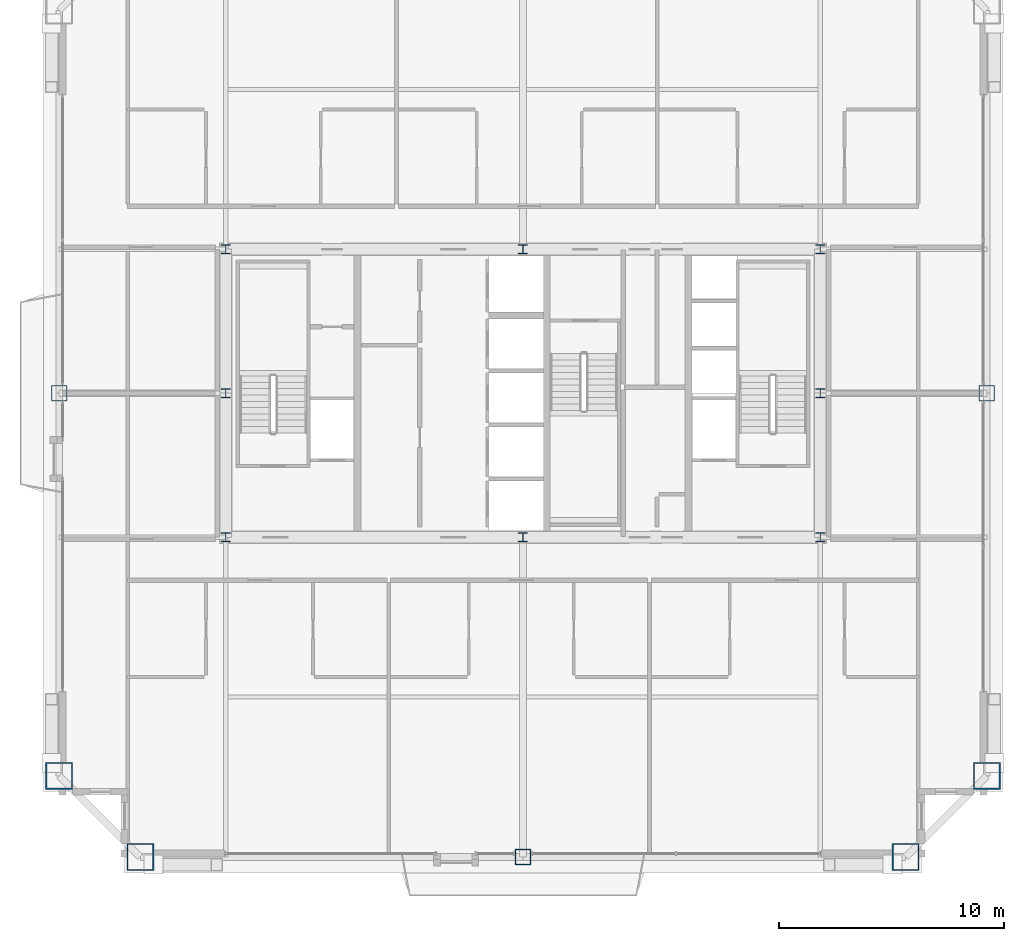
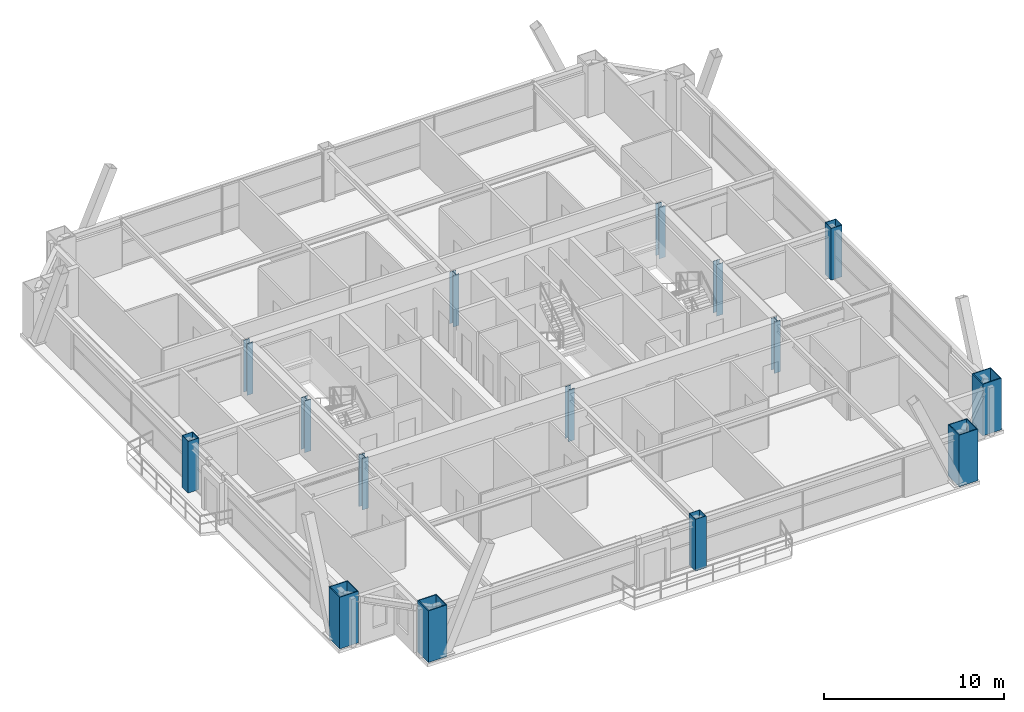
# One storey, part 1 of 33: 15 columns.
"""IFC4 building model written with IfcOpenShell, lengths in metres."""

import ifcopenshell
import ifcopenshell.guid

model = None  # the IFC model being written
_history = None  # IfcOwnerHistory: only IFC2X3 demands one
_inside = {}  # id of a spatial element -> (the spatial element, [elements in it])
_under = {}  # id of a project, library or spatial element -> (it, [spatial elements below it])
_declared = {}  # id of a project -> (the project, [libraries it declares])
_typed = {}  # id of a type object -> (the type object, [elements of that type])
_made_of = {}  # id of a material, layer set ... -> (it, [elements and type objects made of it])


def new_model(schema):
    """Start an empty IFC model of exactly this schema.

    Asked for "IFC4X3", IfcOpenShell would pick the latest addendum, in which some entities
    have other attributes; the version numbers below select the first issue.
    IFC2X3 requires an IfcOwnerHistory on every rooted entity: one is made here for all.
    """
    global model, _history
    if schema == "IFC4X3":
        model = ifcopenshell.file(schema_version=(4, 3, 0, 0))
    else:
        model = ifcopenshell.file(schema=schema)
    _inside.clear()
    _under.clear()
    _declared.clear()
    _typed.clear()
    _made_of.clear()
    _history = None
    if model.schema == "IFC2X3":
        org = make("IfcOrganization", Name="unknown")
        user = make(
            "IfcPersonAndOrganization",
            ThePerson=make("IfcPerson", FamilyName="unknown"),
            TheOrganization=org,
        )
        app = make(
            "IfcApplication",
            ApplicationDeveloper=org,
            Version="unknown",
            ApplicationFullName="unknown",
            ApplicationIdentifier="unknown",
        )
        _history = make(
            "IfcOwnerHistory",
            OwningUser=user,
            OwningApplication=app,
            ChangeAction="ADDED",
            CreationDate=0,
        )
    return model


def make(cls, **values):
    """One entity of the class cls with the attributes given. An attribute that is None is left unset."""
    return model.create_entity(
        cls, **{name: value for name, value in values.items() if value is not None}
    )


def rooted(cls, **values):
    """An entity with a GlobalId (a new one), such as an element, a storey or a relation."""
    return make(cls, GlobalId=ifcopenshell.guid.new(), OwnerHistory=_history, **values)


def si_unit(unit_type, name, prefix=None):
    """IfcSIUnit, for example si_unit("LENGTHUNIT", "METRE", prefix="MILLI")."""
    return make("IfcSIUnit", UnitType=unit_type, Prefix=prefix, Name=name)


def assignment(units):
    """IfcUnitAssignment: the units of a project."""
    return None if units is None else make("IfcUnitAssignment", Units=units)


def point(xyz):
    """IfcCartesianPoint."""
    return None if xyz is None else make("IfcCartesianPoint", Coordinates=xyz)


def direction(xyz):
    """IfcDirection."""
    return None if xyz is None else make("IfcDirection", DirectionRatios=xyz)


def frame(location, z_axis=None, x_axis=None):
    """IfcAxis2Placement3D, a coordinate frame: its origin and axes. An axis left out is left unset."""
    return make(
        "IfcAxis2Placement3D",
        Location=point(location),
        Axis=direction(z_axis),
        RefDirection=direction(x_axis),
    )


def frame_2d(location, x_axis=None):
    """IfcAxis2Placement2D, a coordinate frame in the plane: its origin and x axis."""
    return make(
        "IfcAxis2Placement2D", Location=point(location), RefDirection=direction(x_axis)
    )


def origin():
    """The frame at (0, 0, 0) with its axes left unset."""
    return frame((0.0, 0.0, 0.0))


def origin_2d():
    """The frame at (0, 0) in the plane with its x axis left unset."""
    return frame_2d((0.0, 0.0))


def place(relative_to, where):
    """IfcLocalPlacement: puts the frame where relative to a parent placement (None: the world)."""
    return make(
        "IfcLocalPlacement", PlacementRelTo=relative_to, RelativePlacement=where
    )


def context(
    kind, dimensions, precision=None, world=None, true_north=None, identifier=None
):
    """IfcGeometricRepresentationContext, for example the 3D "Model" context."""
    return make(
        "IfcGeometricRepresentationContext",
        ContextIdentifier=identifier,
        ContextType=kind,
        CoordinateSpaceDimension=dimensions,
        Precision=precision,
        WorldCoordinateSystem=world,
        TrueNorth=true_north,
    )


def subcontext(parent, identifier, kind, view, scale=None):
    """IfcGeometricRepresentationSubContext, for example "Body" below "Model"."""
    return make(
        "IfcGeometricRepresentationSubContext",
        ContextIdentifier=identifier,
        ContextType=kind,
        ParentContext=parent,
        TargetScale=scale,
        TargetView=view,
    )


def project(units=None, contexts=None):
    """IfcProject with its units and contexts."""
    return rooted(
        "IfcProject",
        Name="project",
        RepresentationContexts=contexts,
        UnitsInContext=assignment(units),
    )


def spatial(cls, under=None, at=None, **own):
    """A site, building, storey or space (cls), placed at a placement, below another one or the project."""
    s = rooted(cls, ObjectPlacement=at, **own)
    if under is not None:
        _under.setdefault(under.id(), (under, []))[1].append(s)
    return s


def profile(cls, at=None, kind="AREA", **sizes):
    """A parametric profile (cls). Its sizes go by their IFC names, for example OverallWidth=200.0."""
    return make(cls, ProfileType=kind, Position=at, **sizes)


def hollow_rectangle(**sizes):
    """IfcRectangleHollowProfileDef."""
    return profile("IfcRectangleHollowProfileDef", **sizes)


def i_section(**sizes):
    """IfcIShapeProfileDef."""
    return profile("IfcIShapeProfileDef", **sizes)


def extrude(swept, where, along, depth):
    """IfcExtrudedAreaSolid: the profile swept, set in the frame where, extruded along a direction by depth."""
    return make(
        "IfcExtrudedAreaSolid",
        SweptArea=swept,
        Position=where,
        ExtrudedDirection=direction(along),
        Depth=depth,
    )


def shape(context_of_items, identifier, shape_type, items):
    """IfcShapeRepresentation: the items that make up one representation, for example the "Body"."""
    return make(
        "IfcShapeRepresentation",
        ContextOfItems=context_of_items,
        RepresentationIdentifier=identifier,
        RepresentationType=shape_type,
        Items=items,
    )


def source(mapping_origin, context_of_items, identifier, shape_type, items):
    """IfcRepresentationMap: a shape defined once, which mapped items show again and again."""
    return make(
        "IfcRepresentationMap",
        MappingOrigin=mapping_origin,
        MappedRepresentation=shape(context_of_items, identifier, shape_type, items),
    )


def transform(
    local_origin,
    x_axis=None,
    y_axis=None,
    z_axis=None,
    scale=None,
    scale2=None,
    scale3=None,
    uniform=True,
):
    """IfcCartesianTransformationOperator3D, or its non-uniform kind. x_axis, y_axis, z_axis: its Axis1, 2, 3."""
    if uniform:
        return make(
            "IfcCartesianTransformationOperator3D",
            Axis1=direction(x_axis),
            Axis2=direction(y_axis),
            LocalOrigin=point(local_origin),
            Scale=scale,
            Axis3=direction(z_axis),
        )
    return make(
        "IfcCartesianTransformationOperator3DnonUniform",
        Axis1=direction(x_axis),
        Axis2=direction(y_axis),
        LocalOrigin=point(local_origin),
        Scale=scale,
        Axis3=direction(z_axis),
        Scale2=scale2,
        Scale3=scale3,
    )


def mapped(mapping_source, mapping_target):
    """IfcMappedItem: shows the shape of a source again, moved by a transform."""
    return make(
        "IfcMappedItem", MappingSource=mapping_source, MappingTarget=mapping_target
    )


def material(Name=None, Category=None):
    """IfcMaterial."""
    return make("IfcMaterial", Name=Name, Category=Category)


def material_profile(
    of_material, cross_section, Name=None, Category=None, Priority=None
):
    """IfcMaterialProfile: a cross section and its material."""
    return make(
        "IfcMaterialProfile",
        Name=Name,
        Material=of_material,
        Profile=cross_section,
        Priority=Priority,
        Category=Category,
    )


def profile_set(profiles, Name=None, composite=None):
    """IfcMaterialProfileSet."""
    return make(
        "IfcMaterialProfileSet",
        Name=Name,
        MaterialProfiles=profiles,
        CompositeProfile=composite,
    )


def made_of(thing, what):
    """Note that an element or type object is made of a material, layer set ...; save() writes the relation."""
    if what is not None:
        _made_of.setdefault(what.id(), (what, []))[1].append(thing)
    return thing


def type_object(cls, material=None, **own):
    """A type object (cls), such as IfcWallType, which elements share."""
    return made_of(rooted(cls, **own), material)


def element(
    cls,
    number,
    at=None,
    inside=None,
    cuts=None,
    type_object=None,
    material=None,
    context=None,
    identifier="Body",
    shape_type=None,
    held_by="IfcProductDefinitionShape",
    body=None,
    shapes=None,
    **own,
):
    """One element of the class cls, such as IfcWall. Its Tag is "e" and its number.

    at: its placement. inside: the storey or other place that contains it. cuts: it is an
    opening in that element (IfcRelVoidsElement). A single representation is given by context,
    identifier, shape_type and body (its items); several are given by shapes. held_by: the class
    of the entity that holds the representations. save() writes the other relations.
    """
    e = rooted(cls, Tag="e%d" % number, ObjectPlacement=at, **own)
    if body is not None:
        shapes = [shape(context, identifier, shape_type, body)]
    if shapes is not None:
        e.Representation = make(held_by, Representations=shapes)
    if inside is not None:
        _inside.setdefault(inside.id(), (inside, []))[1].append(e)
    if cuts is not None:
        rooted(
            "IfcRelVoidsElement", RelatingBuildingElement=cuts, RelatedOpeningElement=e
        )
    if type_object is not None:
        _typed.setdefault(type_object.id(), (type_object, []))[1].append(e)
    return made_of(e, material)


def aggregate(whole, parts):
    """IfcRelAggregates: a whole, such as a stair, and the parts it consists of."""
    return rooted("IfcRelAggregates", RelatingObject=whole, RelatedObjects=parts)


def save(model, path):
    """Write the relations noted so far, then the file.

    IfcRelAggregates (storeys below a building ...), IfcRelContainedInSpatialStructure (elements
    in a storey), IfcRelDefinesByType, IfcRelAssociatesMaterial and IfcRelDeclares: one each for
    every whole, place, type object, material and project.
    """
    for whole, parts in _under.values():
        aggregate(whole, parts)
    for where, things in _inside.values():
        rooted(
            "IfcRelContainedInSpatialStructure",
            RelatedElements=things,
            RelatingStructure=where,
        )
    for kind, things in _typed.values():
        rooted("IfcRelDefinesByType", RelatedObjects=things, RelatingType=kind)
    for what, things in _made_of.values():
        rooted("IfcRelAssociatesMaterial", RelatedObjects=things, RelatingMaterial=what)
    for by, libraries in _declared.values():
        rooted("IfcRelDeclares", RelatingContext=by, RelatedDefinitions=libraries)
    model.write(path)


model = new_model("IFC4")

# Units and contexts
model_context = context("Model", 3, precision=1e-05, world=origin(), true_north=direction((0.0, 1.0)))
body_context = subcontext(model_context, "Body", "Model", "MODEL_VIEW")
ifc_project = project(units=[si_unit("LENGTHUNIT", "METRE"), si_unit("AREAUNIT", "SQUARE_METRE"), si_unit("VOLUMEUNIT", "CUBIC_METRE"), si_unit("PLANEANGLEUNIT", "RADIAN"), si_unit("MASSUNIT", "GRAM", prefix="KILO"), si_unit("THERMODYNAMICTEMPERATUREUNIT", "KELVIN"), si_unit("POWERUNIT", "WATT")], contexts=[model_context])

# Site, building, storey
site_placement = place(None, origin())
site = spatial("IfcSite", under=ifc_project, at=site_placement, CompositionType="ELEMENT")
building_placement = place(site_placement, origin())
building = spatial("IfcBuilding", under=site, at=building_placement, Name="Yuzanri Waterfront Tower", CompositionType="ELEMENT")
storey_placement = place(building_placement, frame((0.0, 0.0, 234.60009765625)))
storey = spatial("IfcBuildingStorey", under=building, at=storey_placement, Name="L62", CompositionType="ELEMENT", Elevation=234.60009765625)

# Columns
ifc_material_1 = material(Name="Steel Q355B", Category="steel")
ifc_material_profile_1 = material_profile(ifc_material_1, i_section(OverallWidth=0.39990234375, OverallDepth=0.39990234375, WebThickness=0.012939453125, FlangeThickness=0.02099609375, at=origin_2d()), Name="HW 400x400x13x21")
ifc_profile_set_1 = profile_set([ifc_material_profile_1], Name="Steel Q355B")
column_type_1 = type_object("IfcColumnType", Name="Core Post Q355B HW 400x400x13x21", PredefinedType="COLUMN", material=ifc_profile_set_1)
shared_shape_1 = source(origin(), body_context, "Body", "SweptSolid", [
    extrude(i_section(OverallWidth=0.39990234375, OverallDepth=0.39990234375, WebThickness=0.012939453125, FlangeThickness=0.02099609375, at=origin_2d()), origin(), (0.0, 0.0, 1.0), 3.5),
])
for number, where, z_axis, x_axis, name in (
    (1, (23.800048828125, 19.39990234375, 0.0), (0.0, 0.0, 1.0), (1.0, 0.0, 0.0), "L62 Core Boundary Column CP1"),
    (2, (37.0, 19.39990234375, 0.0), (0.0, 0.0, 1.0), (1.0, 0.0, 0.0), "L62 Core Boundary Column CP2"),
    (3, (50.199951171875, 19.39990234375, 0.0), (0.0, 0.0, 1.0), (1.0, 0.0, 0.0), "L62 Core Boundary Column CP3"),
    (4, (23.800048828125, 25.800048828125, 0.0), (0.0, 0.0, 1.0), (1.0, 0.0, 0.0), "L62 Core Boundary Column CP4"),
    (5, (50.199951171875, 25.800048828125, 0.0), (0.0, 0.0, 1.0), (1.0, 0.0, 0.0), "L62 Core Boundary Column CP5"),
    (6, (23.800048828125, 32.199951171875, 0.0), (0.0, 0.0, 1.0), (1.0, 0.0, 0.0), "L62 Core Boundary Column CP6"),
    (7, (37.0, 32.199951171875, 0.0), (0.0, 0.0, 1.0), (1.0, 0.0, 0.0), "L62 Core Boundary Column CP7"),
    (8, (50.199951171875, 32.199951171875, 0.0), (0.0, 0.0, 1.0), (1.0, 0.0, 0.0), "L62 Core Boundary Column CP8"),
):
    element("IfcColumn", number, at=place(storey_placement, frame(where, z_axis=z_axis, x_axis=x_axis)), inside=storey, type_object=column_type_1, Name=name, PredefinedType="COLUMN", context=body_context, shape_type="MappedRepresentation", body=[
        mapped(shared_shape_1, transform((0.0, 0.0, 0.0), scale=1.0)),
    ])
ifc_material_2 = material(Name="Steel Q390GJC", Category="steel")
ifc_material_profile_2 = material_profile(ifc_material_2, hollow_rectangle(XDim=1.199951171875, YDim=1.199951171875, WallThickness=0.054931640625, at=origin_2d()), Name="RHS 1200x1200x55")
ifc_profile_set_2 = profile_set([ifc_material_profile_2], Name="Steel Q390GJC")
column_type_2 = type_object("IfcColumnType", Name="Mega Column Q390GJC RHS 1200x1200x55", PredefinedType="COLUMN", material=ifc_profile_set_2)
shared_shape_2 = source(origin(), body_context, "Body", "SweptSolid", [
    extrude(hollow_rectangle(XDim=1.199951171875, YDim=1.199951171875, WallThickness=0.054931640625, at=origin_2d()), origin(), (0.0, 0.0, 1.0), 3.5),
])
for number, where, z_axis, x_axis, name in (
    (9, (20.0, 5.199951171875, 0.0), (0.0, 0.0, 1.0), (1.0, 0.0, 0.0), "L62 Perimeter Mega Column S1"),
    (10, (54.0, 5.199951171875, 0.0), (0.0, 0.0, 1.0), (1.0, 0.0, 0.0), "L62 Perimeter Mega Column S3"),
    (11, (16.39990234375, 8.800048828125, 0.0), (0.0, 0.0, 1.0), (1.0, 0.0, 0.0), "L62 Perimeter Mega Column W1"),
    (12, (57.60009765625, 8.800048828125, 0.0), (0.0, 0.0, 1.0), (1.0, 0.0, 0.0), "L62 Perimeter Mega Column E1"),
):
    element("IfcColumn", number, at=place(storey_placement, frame(where, z_axis=z_axis, x_axis=x_axis)), inside=storey, type_object=column_type_2, Name=name, PredefinedType="COLUMN", context=body_context, shape_type="MappedRepresentation", body=[
        mapped(shared_shape_2, transform((0.0, 0.0, 0.0), scale=1.0)),
    ])
ifc_material_3 = material(Name="Steel Q355B", Category="steel")
ifc_material_profile_3 = material_profile(ifc_material_3, hollow_rectangle(XDim=0.699951171875, YDim=0.699951171875, WallThickness=0.031982421875, at=origin_2d()), Name="RHS 700x700x32")
ifc_profile_set_3 = profile_set([ifc_material_profile_3], Name="Steel Q355B")
column_type_3 = type_object("IfcColumnType", Name="Frame Column Q355B RHS 700x700x32", PredefinedType="COLUMN", material=ifc_profile_set_3)
shared_shape_3 = source(origin(), body_context, "Body", "SweptSolid", [
    extrude(hollow_rectangle(XDim=0.699951171875, YDim=0.699951171875, WallThickness=0.031982421875, at=origin_2d()), origin(), (0.0, 0.0, 1.0), 3.5),
])
for number, where, z_axis, x_axis, name in (
    (13, (37.0, 5.199951171875, 0.0), (0.0, 0.0, 1.0), (1.0, 0.0, 0.0), "L62 Perimeter Frame Column S2"),
    (14, (16.39990234375, 25.800048828125, 0.0), (0.0, 0.0, 1.0), (1.0, 0.0, 0.0), "L62 Perimeter Frame Column W2"),
    (15, (57.60009765625, 25.800048828125, 0.0), (0.0, 0.0, 1.0), (1.0, 0.0, 0.0), "L62 Perimeter Frame Column E2"),
):
    element("IfcColumn", number, at=place(storey_placement, frame(where, z_axis=z_axis, x_axis=x_axis)), inside=storey, type_object=column_type_3, Name=name, PredefinedType="COLUMN", context=body_context, shape_type="MappedRepresentation", body=[
        mapped(shared_shape_3, transform((0.0, 0.0, 0.0), scale=1.0)),
    ])

save(model, "model.ifc")
